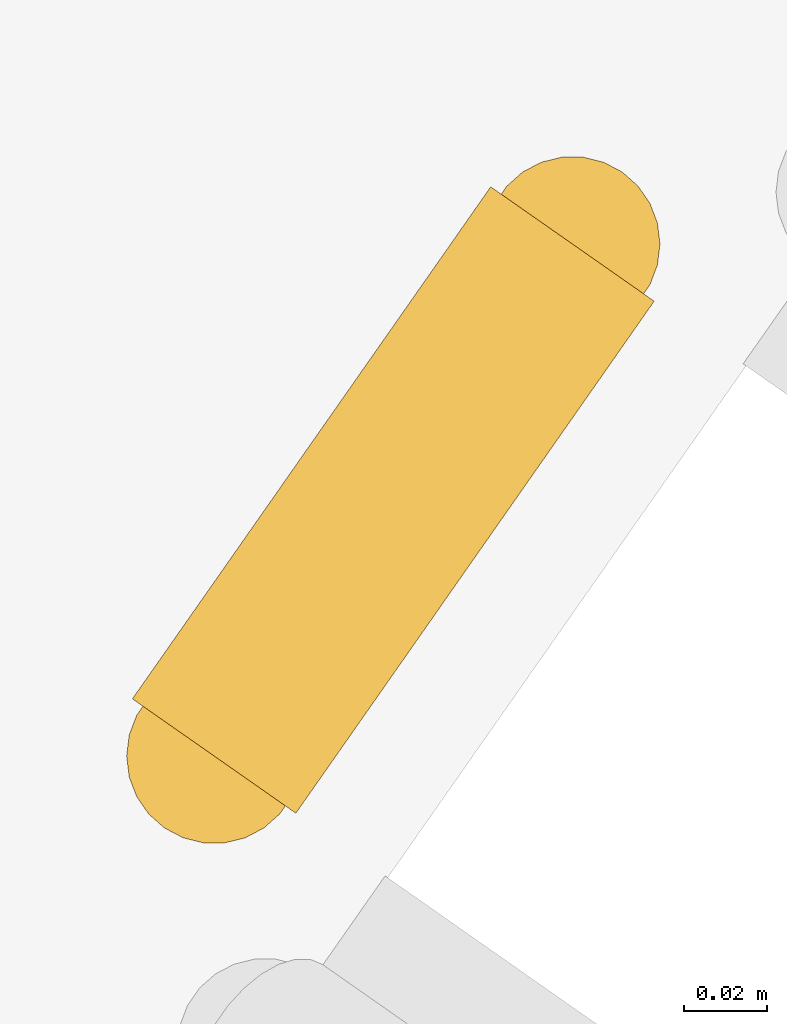
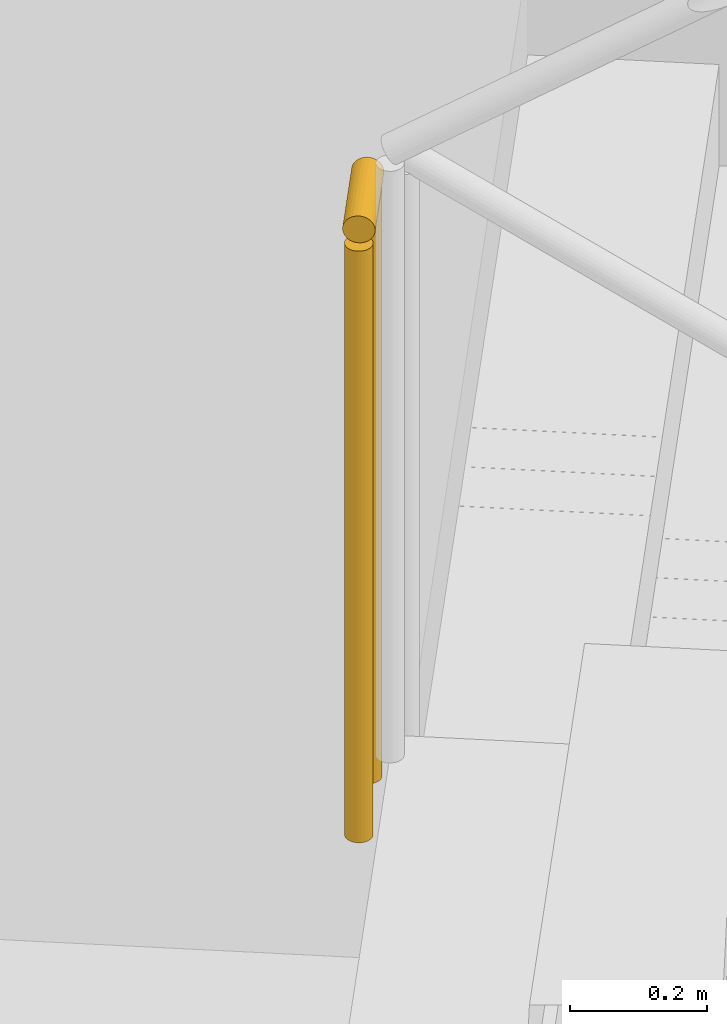
# One storey, part 23 of 25: 1 railing.
"""IFC4 building model written with IfcOpenShell, lengths in metres."""

from ifc_helpers import new_model, si_unit, direction, frame, origin, origin_2d, place, context, subcontext, project, spatial, circle, extrude, material, type_object, element, save


model = new_model("IFC4")

# Units and contexts
model_context = context("Model", 3, precision=1e-05, world=origin(), true_north=direction((0.0, 1.0)))
body_context = subcontext(model_context, "Body", "Model", "MODEL_VIEW")
ifc_project = project(units=[si_unit("LENGTHUNIT", "METRE"), si_unit("AREAUNIT", "SQUARE_METRE"), si_unit("VOLUMEUNIT", "CUBIC_METRE"), si_unit("PLANEANGLEUNIT", "RADIAN"), si_unit("MASSUNIT", "GRAM", prefix="KILO")], contexts=[model_context])

# Site, building, storey
site_placement = place(None, origin())
site = spatial("IfcSite", under=ifc_project, at=site_placement, CompositionType="ELEMENT")
building_placement = place(site_placement, origin())
building = spatial("IfcBuilding", under=site, at=building_placement, Name="Tel Ilan Convention Tower", CompositionType="ELEMENT")
storey_placement = place(building_placement, frame((0.0, 0.0, 61.699951171875)))
storey = spatial("IfcBuildingStorey", under=building, at=storey_placement, Name="L10", CompositionType="ELEMENT", Elevation=61.699951171875)

# Railing
ifc_material = material(Name="Stainless Steel Grade 316", Category="steel")
railing_type = type_object("IfcRailingType", Name="Stainless Steel Stair Guard 1100 mm", PredefinedType="GUARDRAIL", material=ifc_material)
railing_placement = place(storey_placement, frame((18.762939453125, -10.391357421875, 1.800048828125)))
element("IfcRailing", 1, at=railing_placement, inside=storey, type_object=railing_type, Name="L10 S4 stair guard 2", PredefinedType="GUARDRAIL", context=body_context, shape_type="SweptSolid", body=[
    extrude(circle(Radius=0.02392578125, at=origin_2d()), frame((0.0, 0.0, 1.076171875), z_axis=(-0.573353020881, -0.819308436089, 0.0), x_axis=(0.819308436089, -0.573353020881, 0.0)), (0.0, 0.0, 1.0), 0.14990234375),
    extrude(circle(Radius=0.02099609375, at=origin_2d()), origin(), (0.0, 0.0, 1.0), 1.052001953125),
    extrude(circle(Radius=0.02099609375, at=origin_2d()), frame((-0.0859375, -0.122802734375, 0.0)), (0.0, 0.0, 1.0), 1.052001953125),
])

save(model, "model.ifc")
